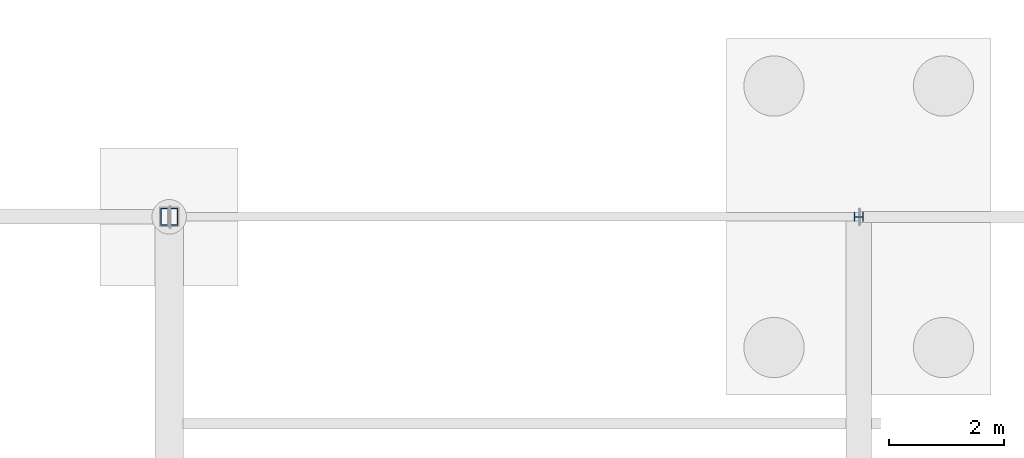
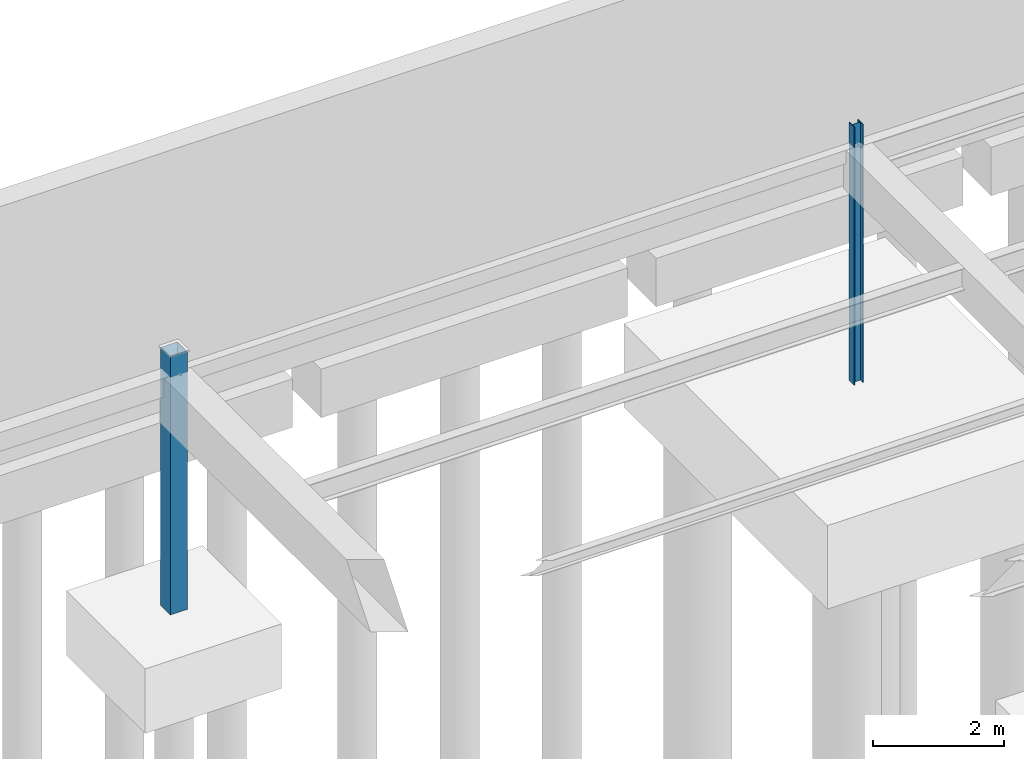
# One storey, part 75 of 136: 2 columns.
"""IFC4 building model written with IfcOpenShell, lengths in metres."""

from ifc_helpers import new_model, si_unit, direction, frame, origin, origin_2d, place, context, subcontext, project, spatial, hollow_rectangle, i_section, extrude, material, material_profile, profile_set, type_object, element, save


model = new_model("IFC4")

# Units and contexts
model_context = context("Model", 3, precision=1e-05, world=origin(), true_north=direction((0.0, 1.0)))
body_context = subcontext(model_context, "Body", "Model", "MODEL_VIEW")
ifc_project = project(units=[si_unit("LENGTHUNIT", "METRE"), si_unit("AREAUNIT", "SQUARE_METRE"), si_unit("VOLUMEUNIT", "CUBIC_METRE"), si_unit("PLANEANGLEUNIT", "RADIAN"), si_unit("MASSUNIT", "GRAM", prefix="KILO")], contexts=[model_context])

# Site, building, storey
site_placement = place(None, origin())
site = spatial("IfcSite", under=ifc_project, at=site_placement, CompositionType="ELEMENT")
building_placement = place(site_placement, origin())
building = spatial("IfcBuilding", under=site, at=building_placement, Name="Tarnwether General Hospital", CompositionType="ELEMENT")
storey_placement = place(building_placement, frame((0.0, 0.0, -4.800048828125)))
storey = spatial("IfcBuildingStorey", under=building, at=storey_placement, Name="LG", CompositionType="ELEMENT", Elevation=-4.800048828125)

# Columns
ifc_material_1 = material(Name="Steel Grade 350 (350 MPa)", Category="steel")
ifc_material_profile_1 = material_profile(ifc_material_1, i_section(OverallWidth=0.154052734375, OverallDepth=0.162109375, WebThickness=0.008056640625, FlangeThickness=0.011474609375, at=origin_2d()), Name="150UC37.2")
ifc_profile_set_1 = profile_set([ifc_material_profile_1], Name="Steel Grade 350 (350 MPa)")
column_type_1 = type_object("IfcColumnType", Name="COL-28", PredefinedType="COLUMN", material=ifc_profile_set_1)
column_1_placement = place(storey_placement, frame((156.0, 126.0, 0.0), z_axis=(0.0, 0.0, 1.0), x_axis=(0.0, 1.0, 0.0)))
element("IfcColumn", 1, at=column_1_placement, inside=storey, type_object=column_type_1, Name="Column COLG-LG-15600_12600", PredefinedType="COLUMN", context=body_context, shape_type="SweptSolid", body=[
    extrude(i_section(OverallWidth=0.154052734375, OverallDepth=0.162109375, WebThickness=0.008056640625, FlangeThickness=0.011474609375, at=origin_2d()), origin(), (0.0, 0.0, 1.0), 4.800048828125),
])
ifc_material_2 = material(Name="Steel Grade C350L0 (350 MPa)", Category="steel")
ifc_material_profile_2 = material_profile(ifc_material_2, hollow_rectangle(XDim=0.300048828125, YDim=0.300048828125, WallThickness=0.012451171875, at=origin_2d()), Name="SHS300x300x12.5")
ifc_profile_set_2 = profile_set([ifc_material_profile_2], Name="Steel Grade C350L0 (350 MPa)")
column_type_2 = type_object("IfcColumnType", Name="COL-30", PredefinedType="COLUMN", material=ifc_profile_set_2)
column_2_placement = place(storey_placement, frame((144.0, 126.0, 0.0), z_axis=(0.0, 0.0, 1.0), x_axis=(1.0, 0.0, 0.0)))
element("IfcColumn", 2, at=column_2_placement, inside=storey, type_object=column_type_2, Name="Column COLG-LG-14400_12600", PredefinedType="COLUMN", context=body_context, shape_type="SweptSolid", body=[
    extrude(hollow_rectangle(XDim=0.300048828125, YDim=0.300048828125, WallThickness=0.012451171875, at=origin_2d()), origin(), (0.0, 0.0, 1.0), 4.800048828125),
])

save(model, "model.ifc")
